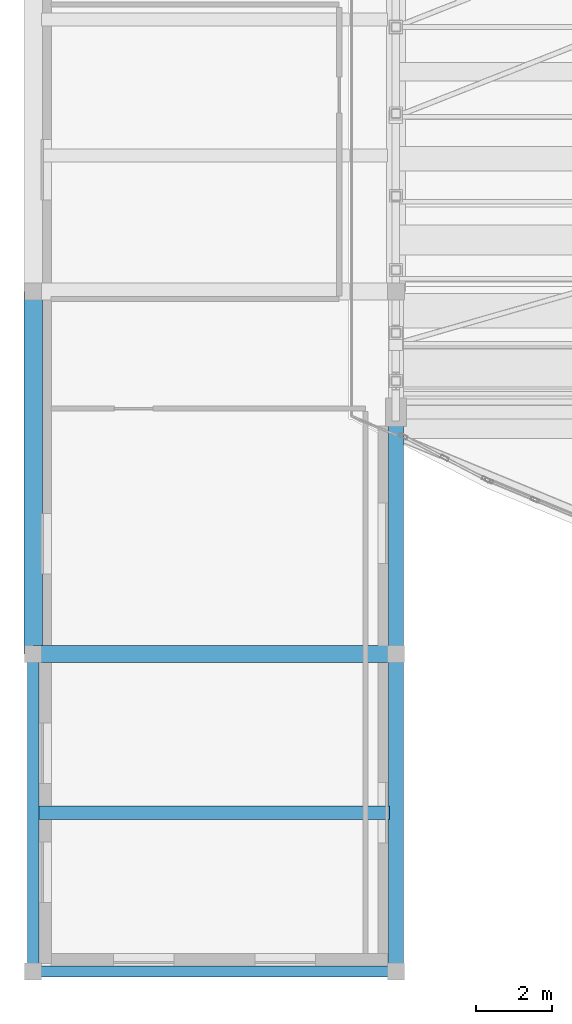
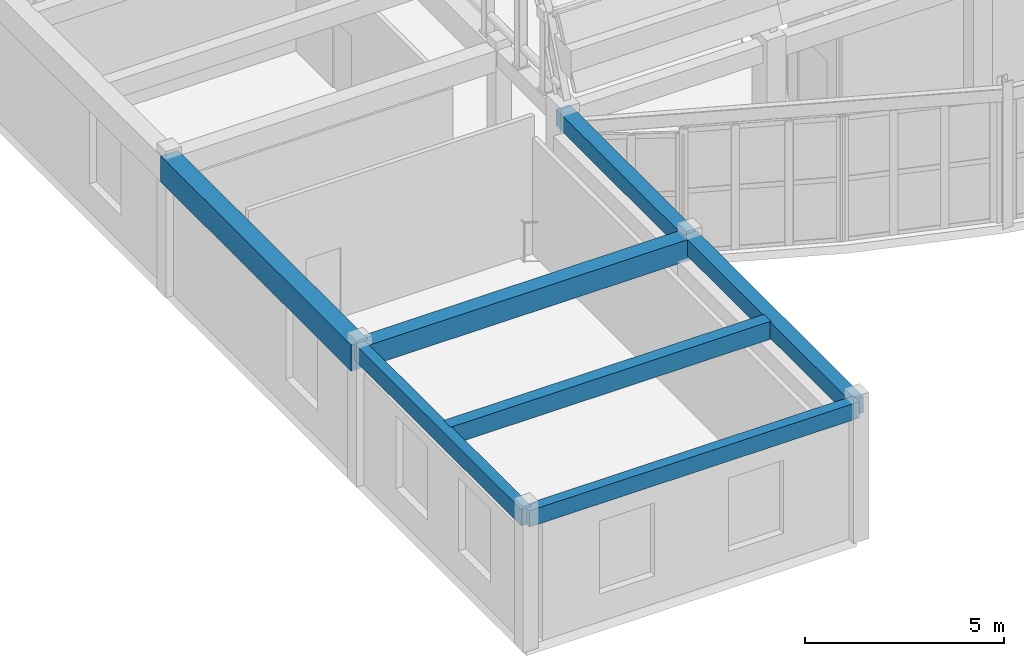
# One storey, part 5 of 91: 7 beams.
"""IFC4 building model written with IfcOpenShell, lengths in metres."""

import ifcopenshell
import ifcopenshell.guid

model = None  # the IFC model being written
_history = None  # IfcOwnerHistory: only IFC2X3 demands one
_inside = {}  # id of a spatial element -> (the spatial element, [elements in it])
_under = {}  # id of a project, library or spatial element -> (it, [spatial elements below it])
_declared = {}  # id of a project -> (the project, [libraries it declares])
_typed = {}  # id of a type object -> (the type object, [elements of that type])
_made_of = {}  # id of a material, layer set ... -> (it, [elements and type objects made of it])


def new_model(schema):
    """Start an empty IFC model of exactly this schema.

    Asked for "IFC4X3", IfcOpenShell would pick the latest addendum, in which some entities
    have other attributes; the version numbers below select the first issue.
    IFC2X3 requires an IfcOwnerHistory on every rooted entity: one is made here for all.
    """
    global model, _history
    if schema == "IFC4X3":
        model = ifcopenshell.file(schema_version=(4, 3, 0, 0))
    else:
        model = ifcopenshell.file(schema=schema)
    _inside.clear()
    _under.clear()
    _declared.clear()
    _typed.clear()
    _made_of.clear()
    _history = None
    if model.schema == "IFC2X3":
        org = make("IfcOrganization", Name="unknown")
        user = make(
            "IfcPersonAndOrganization",
            ThePerson=make("IfcPerson", FamilyName="unknown"),
            TheOrganization=org,
        )
        app = make(
            "IfcApplication",
            ApplicationDeveloper=org,
            Version="unknown",
            ApplicationFullName="unknown",
            ApplicationIdentifier="unknown",
        )
        _history = make(
            "IfcOwnerHistory",
            OwningUser=user,
            OwningApplication=app,
            ChangeAction="ADDED",
            CreationDate=0,
        )
    return model


def make(cls, **values):
    """One entity of the class cls with the attributes given. An attribute that is None is left unset."""
    return model.create_entity(
        cls, **{name: value for name, value in values.items() if value is not None}
    )


def rooted(cls, **values):
    """An entity with a GlobalId (a new one), such as an element, a storey or a relation."""
    return make(cls, GlobalId=ifcopenshell.guid.new(), OwnerHistory=_history, **values)


def si_unit(unit_type, name, prefix=None):
    """IfcSIUnit, for example si_unit("LENGTHUNIT", "METRE", prefix="MILLI")."""
    return make("IfcSIUnit", UnitType=unit_type, Prefix=prefix, Name=name)


def assignment(units):
    """IfcUnitAssignment: the units of a project."""
    return None if units is None else make("IfcUnitAssignment", Units=units)


def point(xyz):
    """IfcCartesianPoint."""
    return None if xyz is None else make("IfcCartesianPoint", Coordinates=xyz)


def direction(xyz):
    """IfcDirection."""
    return None if xyz is None else make("IfcDirection", DirectionRatios=xyz)


def frame(location, z_axis=None, x_axis=None):
    """IfcAxis2Placement3D, a coordinate frame: its origin and axes. An axis left out is left unset."""
    return make(
        "IfcAxis2Placement3D",
        Location=point(location),
        Axis=direction(z_axis),
        RefDirection=direction(x_axis),
    )


def frame_2d(location, x_axis=None):
    """IfcAxis2Placement2D, a coordinate frame in the plane: its origin and x axis."""
    return make(
        "IfcAxis2Placement2D", Location=point(location), RefDirection=direction(x_axis)
    )


def origin():
    """The frame at (0, 0, 0) with its axes left unset."""
    return frame((0.0, 0.0, 0.0))


def origin_2d():
    """The frame at (0, 0) in the plane with its x axis left unset."""
    return frame_2d((0.0, 0.0))


def place(relative_to, where):
    """IfcLocalPlacement: puts the frame where relative to a parent placement (None: the world)."""
    return make(
        "IfcLocalPlacement", PlacementRelTo=relative_to, RelativePlacement=where
    )


def context(
    kind, dimensions, precision=None, world=None, true_north=None, identifier=None
):
    """IfcGeometricRepresentationContext, for example the 3D "Model" context."""
    return make(
        "IfcGeometricRepresentationContext",
        ContextIdentifier=identifier,
        ContextType=kind,
        CoordinateSpaceDimension=dimensions,
        Precision=precision,
        WorldCoordinateSystem=world,
        TrueNorth=true_north,
    )


def subcontext(parent, identifier, kind, view, scale=None):
    """IfcGeometricRepresentationSubContext, for example "Body" below "Model"."""
    return make(
        "IfcGeometricRepresentationSubContext",
        ContextIdentifier=identifier,
        ContextType=kind,
        ParentContext=parent,
        TargetScale=scale,
        TargetView=view,
    )


def project(units=None, contexts=None):
    """IfcProject with its units and contexts."""
    return rooted(
        "IfcProject",
        Name="project",
        RepresentationContexts=contexts,
        UnitsInContext=assignment(units),
    )


def spatial(cls, under=None, at=None, **own):
    """A site, building, storey or space (cls), placed at a placement, below another one or the project."""
    s = rooted(cls, ObjectPlacement=at, **own)
    if under is not None:
        _under.setdefault(under.id(), (under, []))[1].append(s)
    return s


def profile(cls, at=None, kind="AREA", **sizes):
    """A parametric profile (cls). Its sizes go by their IFC names, for example OverallWidth=200.0."""
    return make(cls, ProfileType=kind, Position=at, **sizes)


def rectangle(**sizes):
    """IfcRectangleProfileDef."""
    return profile("IfcRectangleProfileDef", **sizes)


def extrude(swept, where, along, depth):
    """IfcExtrudedAreaSolid: the profile swept, set in the frame where, extruded along a direction by depth."""
    return make(
        "IfcExtrudedAreaSolid",
        SweptArea=swept,
        Position=where,
        ExtrudedDirection=direction(along),
        Depth=depth,
    )


def shape(context_of_items, identifier, shape_type, items):
    """IfcShapeRepresentation: the items that make up one representation, for example the "Body"."""
    return make(
        "IfcShapeRepresentation",
        ContextOfItems=context_of_items,
        RepresentationIdentifier=identifier,
        RepresentationType=shape_type,
        Items=items,
    )


def material(Name=None, Category=None):
    """IfcMaterial."""
    return make("IfcMaterial", Name=Name, Category=Category)


def material_profile(
    of_material, cross_section, Name=None, Category=None, Priority=None
):
    """IfcMaterialProfile: a cross section and its material."""
    return make(
        "IfcMaterialProfile",
        Name=Name,
        Material=of_material,
        Profile=cross_section,
        Priority=Priority,
        Category=Category,
    )


def profile_set(profiles, Name=None, composite=None):
    """IfcMaterialProfileSet."""
    return make(
        "IfcMaterialProfileSet",
        Name=Name,
        MaterialProfiles=profiles,
        CompositeProfile=composite,
    )


def made_of(thing, what):
    """Note that an element or type object is made of a material, layer set ...; save() writes the relation."""
    if what is not None:
        _made_of.setdefault(what.id(), (what, []))[1].append(thing)
    return thing


def type_object(cls, material=None, **own):
    """A type object (cls), such as IfcWallType, which elements share."""
    return made_of(rooted(cls, **own), material)


def element(
    cls,
    number,
    at=None,
    inside=None,
    cuts=None,
    type_object=None,
    material=None,
    context=None,
    identifier="Body",
    shape_type=None,
    held_by="IfcProductDefinitionShape",
    body=None,
    shapes=None,
    **own,
):
    """One element of the class cls, such as IfcWall. Its Tag is "e" and its number.

    at: its placement. inside: the storey or other place that contains it. cuts: it is an
    opening in that element (IfcRelVoidsElement). A single representation is given by context,
    identifier, shape_type and body (its items); several are given by shapes. held_by: the class
    of the entity that holds the representations. save() writes the other relations.
    """
    e = rooted(cls, Tag="e%d" % number, ObjectPlacement=at, **own)
    if body is not None:
        shapes = [shape(context, identifier, shape_type, body)]
    if shapes is not None:
        e.Representation = make(held_by, Representations=shapes)
    if inside is not None:
        _inside.setdefault(inside.id(), (inside, []))[1].append(e)
    if cuts is not None:
        rooted(
            "IfcRelVoidsElement", RelatingBuildingElement=cuts, RelatedOpeningElement=e
        )
    if type_object is not None:
        _typed.setdefault(type_object.id(), (type_object, []))[1].append(e)
    return made_of(e, material)


def aggregate(whole, parts):
    """IfcRelAggregates: a whole, such as a stair, and the parts it consists of."""
    return rooted("IfcRelAggregates", RelatingObject=whole, RelatedObjects=parts)


def save(model, path):
    """Write the relations noted so far, then the file.

    IfcRelAggregates (storeys below a building ...), IfcRelContainedInSpatialStructure (elements
    in a storey), IfcRelDefinesByType, IfcRelAssociatesMaterial and IfcRelDeclares: one each for
    every whole, place, type object, material and project.
    """
    for whole, parts in _under.values():
        aggregate(whole, parts)
    for where, things in _inside.values():
        rooted(
            "IfcRelContainedInSpatialStructure",
            RelatedElements=things,
            RelatingStructure=where,
        )
    for kind, things in _typed.values():
        rooted("IfcRelDefinesByType", RelatedObjects=things, RelatingType=kind)
    for what, things in _made_of.values():
        rooted("IfcRelAssociatesMaterial", RelatedObjects=things, RelatingMaterial=what)
    for by, libraries in _declared.values():
        rooted("IfcRelDeclares", RelatingContext=by, RelatedDefinitions=libraries)
    model.write(path)


model = new_model("IFC4")

# Units and contexts
model_context = context("Model", 3, precision=1e-05, world=origin(), true_north=direction((0.0, 1.0)))
body_context = subcontext(model_context, "Body", "Model", "MODEL_VIEW")
ifc_project = project(units=[si_unit("LENGTHUNIT", "METRE"), si_unit("AREAUNIT", "SQUARE_METRE"), si_unit("VOLUMEUNIT", "CUBIC_METRE"), si_unit("PLANEANGLEUNIT", "RADIAN"), si_unit("MASSUNIT", "GRAM", prefix="KILO")], contexts=[model_context])

# Site, building, storey
site_placement = place(None, origin())
site = spatial("IfcSite", under=ifc_project, at=site_placement, CompositionType="ELEMENT")
building_placement = place(site_placement, origin())
building = spatial("IfcBuilding", under=site, at=building_placement, Name="Tarnavel Promenade Courthouse", CompositionType="ELEMENT")
storey_placement = place(building_placement, frame((0.0, 0.0, 9.89990234375)))
storey = spatial("IfcBuildingStorey", under=building, at=storey_placement, Name="L03", CompositionType="ELEMENT", Elevation=9.89990234375)

# Beams
ifc_material = material(Name="Concrete C40/50", Category="concrete")
ifc_material_profile_1 = material_profile(ifc_material, rectangle(XDim=0.35009765625, YDim=0.550048828125, at=origin_2d()), Name="PT 350x550")
ifc_profile_set_1 = profile_set([ifc_material_profile_1], Name="Concrete C40/50")
beam_type_1 = type_object("IfcBeamType", Name="Concrete C40/50 BM-PT-350x550 (PT 350x550)", PredefinedType="JOIST", material=ifc_profile_set_1)
beam_1_placement = place(storey_placement, frame((0.1201171875, 4.199951171875, 3.97021484375), z_axis=(1.0, 0.0, 0.0), x_axis=(0.0, 1.0, 0.0)))
element("IfcBeam", 1, at=beam_1_placement, inside=storey, type_object=beam_type_1, Name="L03 Secondary Floor Rib 1821", PredefinedType="JOIST", context=body_context, shape_type="SweptSolid", body=[
    extrude(rectangle(XDim=0.35009765625, YDim=0.550048828125, at=origin_2d()), origin(), (0.0, 0.0, 1.0), 9.309814453125),
])
ifc_material_profile_2 = material_profile(ifc_material, rectangle(XDim=0.5, YDim=0.800048828125, at=origin_2d()), Name="PT 500x800")
ifc_profile_set_2 = profile_set([ifc_material_profile_2], Name="Concrete C40/50")
beam_type_2 = type_object("IfcBeamType", Name="Concrete C40/50 BM-PT-500x800 (PT 500x800)", PredefinedType="T_BEAM", material=ifc_profile_set_2)
beam_2_placement = place(storey_placement, frame((0.0, 8.39990234375, 3.84521484375), z_axis=(0.0, 1.0, 0.0), x_axis=(-1.0, 0.0, 0.0)))
element("IfcBeam", 2, at=beam_2_placement, inside=storey, type_object=beam_type_2, Name="L03 Transverse Girder 1687", PredefinedType="T_BEAM", context=body_context, shape_type="SweptSolid", body=[
    extrude(rectangle(XDim=0.5, YDim=0.800048828125, at=origin_2d()), origin(), (0.0, 0.0, 1.0), 9.60009765625),
])
ifc_material_profile_3 = material_profile(ifc_material, rectangle(XDim=0.39990234375, YDim=0.5, at=origin_2d()), Name="RC 400x500")
ifc_profile_set_3 = profile_set([ifc_material_profile_3], Name="Concrete C40/50")
beam_type_3 = type_object("IfcBeamType", Name="Concrete C40/50 BM-RC-400x500 (RC 400x500)", PredefinedType="BEAM", material=ifc_profile_set_3)
beam_3_placement = place(storey_placement, frame((9.60009765625, 0.0, 3.9951171875), z_axis=(0.0, 1.0, 0.0), x_axis=(-1.0, 0.0, 0.0)))
element("IfcBeam", 3, at=beam_3_placement, inside=storey, type_object=beam_type_3, Name="L03 Transverse Girder 1697", PredefinedType="BEAM", context=body_context, shape_type="SweptSolid", body=[
    extrude(rectangle(XDim=0.39990234375, YDim=0.5, at=origin_2d()), origin(), (0.0, 0.0, 1.0), 8.39990234375),
])
beam_4_placement = place(storey_placement, frame((9.60009765625, 8.39990234375, 3.9951171875), z_axis=(0.0, 1.0, 0.0), x_axis=(-1.0, 0.0, 0.0)))
element("IfcBeam", 4, at=beam_4_placement, inside=storey, type_object=beam_type_3, Name="L03 Transverse Girder 1698", PredefinedType="BEAM", context=body_context, shape_type="SweptSolid", body=[
    extrude(rectangle(XDim=0.39990234375, YDim=0.5, at=origin_2d()), origin(), (0.0, 0.0, 1.0), 6.400146484375),
])
ifc_material_profile_4 = material_profile(ifc_material, rectangle(XDim=0.449951171875, YDim=0.64990234375, at=origin_2d()), Name="RC 450x650")
ifc_profile_set_4 = profile_set([ifc_material_profile_4], Name="Concrete C40/50")
beam_type_4 = type_object("IfcBeamType", Name="Concrete C40/50 BM-RC-450x650 (RC 450x650)", PredefinedType="T_BEAM", material=ifc_profile_set_4)
beam_5_placement = place(storey_placement, frame((0.0, 8.39990234375, 3.920166015625), z_axis=(1.0, 0.0, 0.0), x_axis=(0.0, 1.0, 0.0)))
element("IfcBeam", 5, at=beam_5_placement, inside=storey, type_object=beam_type_4, Name="L03 Primary Longitudinal Beam 1532", PredefinedType="T_BEAM", context=body_context, shape_type="SweptSolid", body=[
    extrude(rectangle(XDim=0.449951171875, YDim=0.64990234375, at=origin_2d()), origin(), (0.0, 0.0, 1.0), 9.60009765625),
])
ifc_material_profile_5 = material_profile(ifc_material, rectangle(XDim=0.300048828125, YDim=0.5, at=origin_2d()), Name="RC 300x500")
ifc_profile_set_5 = profile_set([ifc_material_profile_5], Name="Concrete C40/50")
beam_type_5 = type_object("IfcBeamType", Name="Concrete C40/50 BM-SP-300x500 (RC 300x500)", PredefinedType="SPANDREL", material=ifc_profile_set_5)
beam_6_placement = place(storey_placement, frame((0.0, 0.0, 3.9951171875), z_axis=(1.0, 0.0, 0.0), x_axis=(0.0, 1.0, 0.0)))
element("IfcBeam", 6, at=beam_6_placement, inside=storey, type_object=beam_type_5, Name="L03 Primary Longitudinal Beam 1531", PredefinedType="SPANDREL", context=body_context, shape_type="SweptSolid", body=[
    extrude(rectangle(XDim=0.300048828125, YDim=0.5, at=origin_2d()), origin(), (0.0, 0.0, 1.0), 9.60009765625),
])
beam_7_placement = place(storey_placement, frame((0.0, 0.0, 3.9951171875), z_axis=(0.0, 1.0, 0.0), x_axis=(-1.0, 0.0, 0.0)))
element("IfcBeam", 7, at=beam_7_placement, inside=storey, type_object=beam_type_5, Name="L03 Transverse Girder 1686", PredefinedType="SPANDREL", context=body_context, shape_type="SweptSolid", body=[
    extrude(rectangle(XDim=0.300048828125, YDim=0.5, at=origin_2d()), origin(), (0.0, 0.0, 1.0), 8.39990234375),
])

save(model, "model.ifc")
